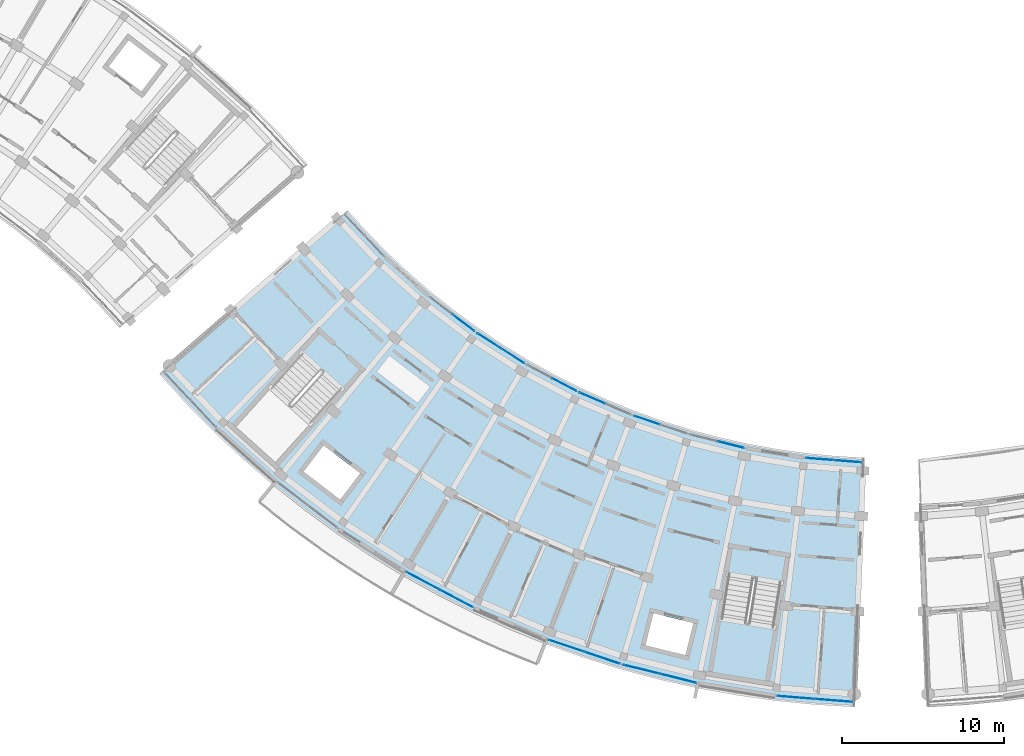
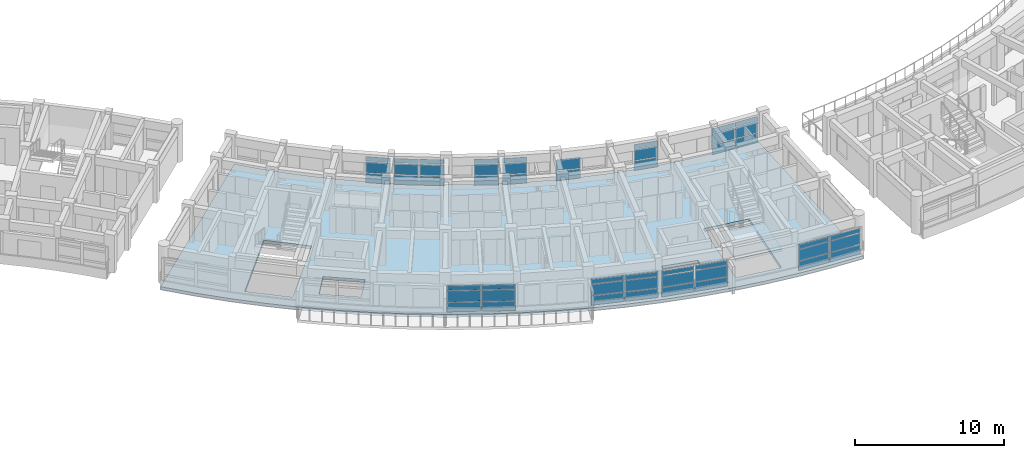
# One storey, part 23 of 54: 50 plates, 2 slabs, 12 elements without a shape of their own.
"""IFC4 building model written with IfcOpenShell, lengths in metres."""

import ifcopenshell
import ifcopenshell.guid

model = None  # the IFC model being written
_history = None  # IfcOwnerHistory: only IFC2X3 demands one
_inside = {}  # id of a spatial element -> (the spatial element, [elements in it])
_under = {}  # id of a project, library or spatial element -> (it, [spatial elements below it])
_declared = {}  # id of a project -> (the project, [libraries it declares])
_typed = {}  # id of a type object -> (the type object, [elements of that type])
_made_of = {}  # id of a material, layer set ... -> (it, [elements and type objects made of it])


def new_model(schema):
    """Start an empty IFC model of exactly this schema.

    Asked for "IFC4X3", IfcOpenShell would pick the latest addendum, in which some entities
    have other attributes; the version numbers below select the first issue.
    IFC2X3 requires an IfcOwnerHistory on every rooted entity: one is made here for all.
    """
    global model, _history
    if schema == "IFC4X3":
        model = ifcopenshell.file(schema_version=(4, 3, 0, 0))
    else:
        model = ifcopenshell.file(schema=schema)
    _inside.clear()
    _under.clear()
    _declared.clear()
    _typed.clear()
    _made_of.clear()
    _history = None
    if model.schema == "IFC2X3":
        org = make("IfcOrganization", Name="unknown")
        user = make(
            "IfcPersonAndOrganization",
            ThePerson=make("IfcPerson", FamilyName="unknown"),
            TheOrganization=org,
        )
        app = make(
            "IfcApplication",
            ApplicationDeveloper=org,
            Version="unknown",
            ApplicationFullName="unknown",
            ApplicationIdentifier="unknown",
        )
        _history = make(
            "IfcOwnerHistory",
            OwningUser=user,
            OwningApplication=app,
            ChangeAction="ADDED",
            CreationDate=0,
        )
    return model


def make(cls, **values):
    """One entity of the class cls with the attributes given. An attribute that is None is left unset."""
    return model.create_entity(
        cls, **{name: value for name, value in values.items() if value is not None}
    )


def rooted(cls, **values):
    """An entity with a GlobalId (a new one), such as an element, a storey or a relation."""
    return make(cls, GlobalId=ifcopenshell.guid.new(), OwnerHistory=_history, **values)


def si_unit(unit_type, name, prefix=None):
    """IfcSIUnit, for example si_unit("LENGTHUNIT", "METRE", prefix="MILLI")."""
    return make("IfcSIUnit", UnitType=unit_type, Prefix=prefix, Name=name)


def assignment(units):
    """IfcUnitAssignment: the units of a project."""
    return None if units is None else make("IfcUnitAssignment", Units=units)


def point(xyz):
    """IfcCartesianPoint."""
    return None if xyz is None else make("IfcCartesianPoint", Coordinates=xyz)


def direction(xyz):
    """IfcDirection."""
    return None if xyz is None else make("IfcDirection", DirectionRatios=xyz)


def frame(location, z_axis=None, x_axis=None):
    """IfcAxis2Placement3D, a coordinate frame: its origin and axes. An axis left out is left unset."""
    return make(
        "IfcAxis2Placement3D",
        Location=point(location),
        Axis=direction(z_axis),
        RefDirection=direction(x_axis),
    )


def frame_2d(location, x_axis=None):
    """IfcAxis2Placement2D, a coordinate frame in the plane: its origin and x axis."""
    return make(
        "IfcAxis2Placement2D", Location=point(location), RefDirection=direction(x_axis)
    )


def origin():
    """The frame at (0, 0, 0) with its axes left unset."""
    return frame((0.0, 0.0, 0.0))


def origin_2d():
    """The frame at (0, 0) in the plane with its x axis left unset."""
    return frame_2d((0.0, 0.0))


def place(relative_to, where):
    """IfcLocalPlacement: puts the frame where relative to a parent placement (None: the world)."""
    return make(
        "IfcLocalPlacement", PlacementRelTo=relative_to, RelativePlacement=where
    )


def context(
    kind, dimensions, precision=None, world=None, true_north=None, identifier=None
):
    """IfcGeometricRepresentationContext, for example the 3D "Model" context."""
    return make(
        "IfcGeometricRepresentationContext",
        ContextIdentifier=identifier,
        ContextType=kind,
        CoordinateSpaceDimension=dimensions,
        Precision=precision,
        WorldCoordinateSystem=world,
        TrueNorth=true_north,
    )


def subcontext(parent, identifier, kind, view, scale=None):
    """IfcGeometricRepresentationSubContext, for example "Body" below "Model"."""
    return make(
        "IfcGeometricRepresentationSubContext",
        ContextIdentifier=identifier,
        ContextType=kind,
        ParentContext=parent,
        TargetScale=scale,
        TargetView=view,
    )


def project(units=None, contexts=None):
    """IfcProject with its units and contexts."""
    return rooted(
        "IfcProject",
        Name="project",
        RepresentationContexts=contexts,
        UnitsInContext=assignment(units),
    )


def spatial(cls, under=None, at=None, **own):
    """A site, building, storey or space (cls), placed at a placement, below another one or the project."""
    s = rooted(cls, ObjectPlacement=at, **own)
    if under is not None:
        _under.setdefault(under.id(), (under, []))[1].append(s)
    return s


def polyline(points):
    """IfcPolyline through the points."""
    return make("IfcPolyline", Points=[point(p) for p in points])


def profile(cls, at=None, kind="AREA", **sizes):
    """A parametric profile (cls). Its sizes go by their IFC names, for example OverallWidth=200.0."""
    return make(cls, ProfileType=kind, Position=at, **sizes)


def rectangle(**sizes):
    """IfcRectangleProfileDef."""
    return profile("IfcRectangleProfileDef", **sizes)


def outline(outer, holes=None, kind="AREA"):
    """IfcArbitraryClosedProfileDef: a profile drawn as a closed curve; with holes, ...WithVoids."""
    if holes is None:
        return make("IfcArbitraryClosedProfileDef", ProfileType=kind, OuterCurve=outer)
    return make(
        "IfcArbitraryProfileDefWithVoids",
        ProfileType=kind,
        OuterCurve=outer,
        InnerCurves=holes,
    )


def extrude(swept, where, along, depth):
    """IfcExtrudedAreaSolid: the profile swept, set in the frame where, extruded along a direction by depth."""
    return make(
        "IfcExtrudedAreaSolid",
        SweptArea=swept,
        Position=where,
        ExtrudedDirection=direction(along),
        Depth=depth,
    )


def shape(context_of_items, identifier, shape_type, items):
    """IfcShapeRepresentation: the items that make up one representation, for example the "Body"."""
    return make(
        "IfcShapeRepresentation",
        ContextOfItems=context_of_items,
        RepresentationIdentifier=identifier,
        RepresentationType=shape_type,
        Items=items,
    )


def material(Name=None, Category=None):
    """IfcMaterial."""
    return make("IfcMaterial", Name=Name, Category=Category)


def layer(
    of_material, thickness, ventilated=None, Name=None, Category=None, Priority=None
):
    """IfcMaterialLayer: one layer of a wall or slab, of a material (None: an air gap)."""
    return make(
        "IfcMaterialLayer",
        Material=of_material,
        LayerThickness=thickness,
        IsVentilated=ventilated,
        Name=Name,
        Category=Category,
        Priority=Priority,
    )


def layer_set(layers, Name=None):
    """IfcMaterialLayerSet."""
    return make("IfcMaterialLayerSet", MaterialLayers=layers, LayerSetName=Name)


def made_of(thing, what):
    """Note that an element or type object is made of a material, layer set ...; save() writes the relation."""
    if what is not None:
        _made_of.setdefault(what.id(), (what, []))[1].append(thing)
    return thing


def type_object(cls, material=None, **own):
    """A type object (cls), such as IfcWallType, which elements share."""
    return made_of(rooted(cls, **own), material)


def element(
    cls,
    number,
    at=None,
    inside=None,
    cuts=None,
    type_object=None,
    material=None,
    context=None,
    identifier="Body",
    shape_type=None,
    held_by="IfcProductDefinitionShape",
    body=None,
    shapes=None,
    **own,
):
    """One element of the class cls, such as IfcWall. Its Tag is "e" and its number.

    at: its placement. inside: the storey or other place that contains it. cuts: it is an
    opening in that element (IfcRelVoidsElement). A single representation is given by context,
    identifier, shape_type and body (its items); several are given by shapes. held_by: the class
    of the entity that holds the representations. save() writes the other relations.
    """
    e = rooted(cls, Tag="e%d" % number, ObjectPlacement=at, **own)
    if body is not None:
        shapes = [shape(context, identifier, shape_type, body)]
    if shapes is not None:
        e.Representation = make(held_by, Representations=shapes)
    if inside is not None:
        _inside.setdefault(inside.id(), (inside, []))[1].append(e)
    if cuts is not None:
        rooted(
            "IfcRelVoidsElement", RelatingBuildingElement=cuts, RelatedOpeningElement=e
        )
    if type_object is not None:
        _typed.setdefault(type_object.id(), (type_object, []))[1].append(e)
    return made_of(e, material)


def aggregate(whole, parts):
    """IfcRelAggregates: a whole, such as a stair, and the parts it consists of."""
    return rooted("IfcRelAggregates", RelatingObject=whole, RelatedObjects=parts)


def save(model, path):
    """Write the relations noted so far, then the file.

    IfcRelAggregates (storeys below a building ...), IfcRelContainedInSpatialStructure (elements
    in a storey), IfcRelDefinesByType, IfcRelAssociatesMaterial and IfcRelDeclares: one each for
    every whole, place, type object, material and project.
    """
    for whole, parts in _under.values():
        aggregate(whole, parts)
    for where, things in _inside.values():
        rooted(
            "IfcRelContainedInSpatialStructure",
            RelatedElements=things,
            RelatingStructure=where,
        )
    for kind, things in _typed.values():
        rooted("IfcRelDefinesByType", RelatedObjects=things, RelatingType=kind)
    for what, things in _made_of.values():
        rooted("IfcRelAssociatesMaterial", RelatedObjects=things, RelatingMaterial=what)
    for by, libraries in _declared.values():
        rooted("IfcRelDeclares", RelatingContext=by, RelatedDefinitions=libraries)
    model.write(path)


model = new_model("IFC4")

# Units and contexts
model_context = context("Model", 3, precision=1e-05, world=origin(), true_north=direction((0.0, 1.0)))
body_context = subcontext(model_context, "Body", "Model", "MODEL_VIEW")
ifc_project = project(units=[si_unit("LENGTHUNIT", "METRE"), si_unit("AREAUNIT", "SQUARE_METRE"), si_unit("VOLUMEUNIT", "CUBIC_METRE"), si_unit("PLANEANGLEUNIT", "RADIAN"), si_unit("MASSUNIT", "GRAM", prefix="KILO")], contexts=[model_context])

# Site, building, storey
site_placement = place(None, origin())
site = spatial("IfcSite", under=ifc_project, at=site_placement, CompositionType="ELEMENT")
building_placement = place(site_placement, origin())
building = spatial("IfcBuilding", under=site, at=building_placement, Name="Zimvara Arc Housing Community", CompositionType="ELEMENT")
storey_placement = place(building_placement, frame((0.0, 0.0, 20.5)))
storey = spatial("IfcBuildingStorey", under=building, at=storey_placement, Name="L06", CompositionType="ELEMENT", Elevation=20.5)

# Curtain wall, plates
ifc_material_1 = material(Name="Anodised Aluminium AW-6063", Category="aluminium")
curtain_wall_type_1 = type_object("IfcCurtainWallType", Name="CW-SYS-08", PredefinedType="USERDEFINED", material=ifc_material_1)
curtain_wall_1_placement = place(storey_placement, origin())
curtain_wall_1 = element("IfcCurtainWall", 1, at=curtain_wall_1_placement, inside=storey, type_object=curtain_wall_type_1, Name="cw:blkC:L06:in:b2", ObjectType="CURTAIN WALL", PredefinedType="USERDEFINED")
ifc_material_2 = material(Name="Pale-Gold Anodised Aluminium Spandrel Panel", Category="aluminium")
ifc_layer_1 = layer(ifc_material_2, 0.035888671875)
ifc_layer_set_1 = layer_set([ifc_layer_1], Name="Pale-Gold Anodised Aluminium Spandrel Panel")
plate_type_1 = type_object("IfcPlateType", Name="CWP-GLD-36", PredefinedType="CURTAIN_PANEL", material=ifc_layer_set_1)
plate_1_placement = place(storey_placement, frame((99.651123046875, 73.87158203125, 0.06494140625), z_axis=(0.0, 0.0, 1.0), x_axis=(0.795473543119, -0.605988318533, 0.0)))
plate_1 = element("IfcPlate", 2, at=plate_1_placement, type_object=plate_type_1, Name="CW08 panel 2.1", PredefinedType="CURTAIN_PANEL", context=body_context, shape_type="SweptSolid", body=[
    extrude(rectangle(XDim=1.664306640625, YDim=0.035888671875, at=origin_2d()), origin(), (0.0, 0.0, 1.0), 0.75244140625),
])
plate_2_placement = place(storey_placement, frame((99.651123046875, 73.87158203125, 0.88232421875), z_axis=(0.0, 0.0, 1.0), x_axis=(0.795473543119, -0.605988318533, 0.0)))
plate_2 = element("IfcPlate", 3, at=plate_2_placement, type_object=plate_type_1, Name="CW08 panel 2.2", PredefinedType="CURTAIN_PANEL", context=body_context, shape_type="SweptSolid", body=[
    extrude(rectangle(XDim=1.664306640625, YDim=0.035888671875, at=origin_2d()), origin(), (0.0, 0.0, 1.0), 0.885009765625),
])
plate_3_placement = place(storey_placement, frame((99.651123046875, 73.87158203125, 1.83251953125), z_axis=(0.0, 0.0, 1.0), x_axis=(0.795473543119, -0.605988318533, 0.0)))
plate_3 = element("IfcPlate", 4, at=plate_3_placement, type_object=plate_type_1, Name="CW08 panel 2.3", PredefinedType="CURTAIN_PANEL", context=body_context, shape_type="SweptSolid", body=[
    extrude(rectangle(XDim=1.664306640625, YDim=0.035888671875, at=origin_2d()), origin(), (0.0, 0.0, 1.0), 0.3525390625),
])
aggregate(curtain_wall_1, [plate_1, plate_2, plate_3])

ifc_material_3 = material(Name="Anodised Aluminium AW-6063", Category="aluminium")
curtain_wall_type_2 = type_object("IfcCurtainWallType", Name="CW-SYS-04", PredefinedType="USERDEFINED", material=ifc_material_3)
curtain_wall_2_placement = place(storey_placement, origin())
curtain_wall_2 = element("IfcCurtainWall", 5, at=curtain_wall_2_placement, inside=storey, type_object=curtain_wall_type_2, Name="cw:blkC:L06:in:b5", ObjectType="CURTAIN WALL", PredefinedType="USERDEFINED")
plate_4_placement = place(storey_placement, frame((107.57958984375, 69.2421875, 0.06494140625), z_axis=(0.0, 0.0, 1.0), x_axis=(0.918722178415, -0.394904493375, 0.0)))
plate_4 = element("IfcPlate", 6, at=plate_4_placement, type_object=plate_type_1, Name="CW04 panel 1.1", PredefinedType="CURTAIN_PANEL", context=body_context, shape_type="SweptSolid", body=[
    extrude(rectangle(XDim=1.664306640625, YDim=0.035888671875, at=origin_2d()), origin(), (0.0, 0.0, 1.0), 0.75244140625),
])
plate_5_placement = place(storey_placement, frame((107.57958984375, 69.2421875, 0.88232421875), z_axis=(0.0, 0.0, 1.0), x_axis=(0.918722178415, -0.394904493375, 0.0)))
plate_5 = element("IfcPlate", 7, at=plate_5_placement, type_object=plate_type_1, Name="CW04 panel 1.2", PredefinedType="CURTAIN_PANEL", context=body_context, shape_type="SweptSolid", body=[
    extrude(rectangle(XDim=1.664306640625, YDim=0.035888671875, at=origin_2d()), origin(), (0.0, 0.0, 1.0), 0.885009765625),
])
plate_6_placement = place(storey_placement, frame((107.57958984375, 69.2421875, 1.83251953125), z_axis=(0.0, 0.0, 1.0), x_axis=(0.918722178415, -0.394904493375, 0.0)))
plate_6 = element("IfcPlate", 8, at=plate_6_placement, type_object=plate_type_1, Name="CW04 panel 1.3", PredefinedType="CURTAIN_PANEL", context=body_context, shape_type="SweptSolid", body=[
    extrude(rectangle(XDim=1.664306640625, YDim=0.035888671875, at=origin_2d()), origin(), (0.0, 0.0, 1.0), 0.3525390625),
])
aggregate(curtain_wall_2, [plate_4, plate_5, plate_6])

curtain_wall_3_placement = place(storey_placement, origin())
curtain_wall_3 = element("IfcCurtainWall", 9, at=curtain_wall_3_placement, inside=storey, type_object=curtain_wall_type_1, Name="cw:blkC:L06:in:b7", ObjectType="CURTAIN WALL", PredefinedType="USERDEFINED")
plate_7_placement = place(storey_placement, frame((116.109375, 66.375, 0.06494140625), z_axis=(0.0, 0.0, 1.0), x_axis=(0.970716537698, -0.240227815706, 0.0)))
plate_7 = element("IfcPlate", 10, at=plate_7_placement, type_object=plate_type_1, Name="CW08 panel 2.1", PredefinedType="CURTAIN_PANEL", context=body_context, shape_type="SweptSolid", body=[
    extrude(rectangle(XDim=1.664306640625, YDim=0.035888671875, at=origin_2d()), origin(), (0.0, 0.0, 1.0), 0.75244140625),
])
plate_8_placement = place(storey_placement, frame((116.109375, 66.375, 0.88232421875), z_axis=(0.0, 0.0, 1.0), x_axis=(0.970716537698, -0.240227815706, 0.0)))
plate_8 = element("IfcPlate", 11, at=plate_8_placement, type_object=plate_type_1, Name="CW08 panel 2.2", PredefinedType="CURTAIN_PANEL", context=body_context, shape_type="SweptSolid", body=[
    extrude(rectangle(XDim=1.664306640625, YDim=0.035888671875, at=origin_2d()), origin(), (0.0, 0.0, 1.0), 0.885009765625),
])
plate_9_placement = place(storey_placement, frame((116.109375, 66.375, 1.83251953125), z_axis=(0.0, 0.0, 1.0), x_axis=(0.970716537698, -0.240227815706, 0.0)))
plate_9 = element("IfcPlate", 12, at=plate_9_placement, type_object=plate_type_1, Name="CW08 panel 2.3", PredefinedType="CURTAIN_PANEL", context=body_context, shape_type="SweptSolid", body=[
    extrude(rectangle(XDim=1.664306640625, YDim=0.035888671875, at=origin_2d()), origin(), (0.0, 0.0, 1.0), 0.3525390625),
])
aggregate(curtain_wall_3, [plate_7, plate_8, plate_9])

ifc_material_4 = material(Name="Anodised Aluminium AW-6063", Category="aluminium")
curtain_wall_type_3 = type_object("IfcCurtainWallType", Name="CW-SYS-01", PredefinedType="USERDEFINED", material=ifc_material_4)
curtain_wall_4_placement = place(storey_placement, origin())
curtain_wall_4 = element("IfcCurtainWall", 13, at=curtain_wall_4_placement, inside=storey, type_object=curtain_wall_type_3, Name="cw:blkC:L06:in:b3", ObjectType="CURTAIN WALL", PredefinedType="USERDEFINED")
ifc_material_5 = material(Name="Solar Control Low-E Double Glazing", Category="glass")
ifc_layer_2 = layer(ifc_material_5, 0.02392578125)
ifc_layer_set_2 = layer_set([ifc_layer_2], Name="Solar Control Low-E Double Glazing")
plate_type_2 = type_object("IfcPlateType", Name="CWP-GLZ-24", PredefinedType="CURTAIN_PANEL", material=ifc_layer_set_2)
plate_10_placement = place(storey_placement, frame((101.21875, 72.775634765625, 0.06494140625), z_axis=(0.0, 0.0, 1.0), x_axis=(0.842264751752, -0.539064085203, 0.0)))
plate_10 = element("IfcPlate", 14, at=plate_10_placement, type_object=plate_type_2, Name="CW01 panel 1.1", PredefinedType="CURTAIN_PANEL", context=body_context, shape_type="SweptSolid", body=[
    extrude(rectangle(XDim=1.664306640625, YDim=0.02392578125, at=origin_2d()), origin(), (0.0, 0.0, 1.0), 0.75244140625),
])
plate_11_placement = place(storey_placement, frame((101.21875, 72.775634765625, 0.88232421875), z_axis=(0.0, 0.0, 1.0), x_axis=(0.842264751752, -0.539064085203, 0.0)))
plate_11 = element("IfcPlate", 15, at=plate_11_placement, type_object=plate_type_2, Name="CW01 panel 1.2", PredefinedType="CURTAIN_PANEL", context=body_context, shape_type="SweptSolid", body=[
    extrude(rectangle(XDim=1.664306640625, YDim=0.02392578125, at=origin_2d()), origin(), (0.0, 0.0, 1.0), 0.885009765625),
])
plate_12_placement = place(storey_placement, frame((101.21875, 72.775634765625, 1.83251953125), z_axis=(0.0, 0.0, 1.0), x_axis=(0.842264751752, -0.539064085203, 0.0)))
plate_12 = element("IfcPlate", 16, at=plate_12_placement, type_object=plate_type_2, Name="CW01 panel 1.3", PredefinedType="CURTAIN_PANEL", context=body_context, shape_type="SweptSolid", body=[
    extrude(rectangle(XDim=1.664306640625, YDim=0.02392578125, at=origin_2d()), origin(), (0.0, 0.0, 1.0), 0.3525390625),
])
plate_13_placement = place(storey_placement, frame((102.67529296875, 71.843505859375, 0.06494140625), z_axis=(0.0, 0.0, 1.0), x_axis=(0.842264751752, -0.539064085203, 0.0)))
plate_13 = element("IfcPlate", 17, at=plate_13_placement, type_object=plate_type_2, Name="CW01 panel 2.1", PredefinedType="CURTAIN_PANEL", context=body_context, shape_type="SweptSolid", body=[
    extrude(rectangle(XDim=1.664306640625, YDim=0.02392578125, at=origin_2d()), origin(), (0.0, 0.0, 1.0), 0.75244140625),
])
plate_14_placement = place(storey_placement, frame((102.67529296875, 71.843505859375, 0.88232421875), z_axis=(0.0, 0.0, 1.0), x_axis=(0.842264751752, -0.539064085203, 0.0)))
plate_14 = element("IfcPlate", 18, at=plate_14_placement, type_object=plate_type_2, Name="CW01 panel 2.2", PredefinedType="CURTAIN_PANEL", context=body_context, shape_type="SweptSolid", body=[
    extrude(rectangle(XDim=1.664306640625, YDim=0.02392578125, at=origin_2d()), origin(), (0.0, 0.0, 1.0), 0.885009765625),
])
plate_15_placement = place(storey_placement, frame((102.67529296875, 71.843505859375, 1.83251953125), z_axis=(0.0, 0.0, 1.0), x_axis=(0.842264751752, -0.539064085203, 0.0)))
plate_15 = element("IfcPlate", 19, at=plate_15_placement, type_object=plate_type_2, Name="CW01 panel 2.3", PredefinedType="CURTAIN_PANEL", context=body_context, shape_type="SweptSolid", body=[
    extrude(rectangle(XDim=1.664306640625, YDim=0.02392578125, at=origin_2d()), origin(), (0.0, 0.0, 1.0), 0.3525390625),
])
aggregate(curtain_wall_4, [plate_10, plate_11, plate_12, plate_13, plate_14, plate_15])

ifc_material_6 = material(Name="Anodised Aluminium AW-6063", Category="aluminium")
curtain_wall_type_4 = type_object("IfcCurtainWallType", Name="CW-SYS-05", PredefinedType="USERDEFINED", material=ifc_material_6)
curtain_wall_5_placement = place(storey_placement, origin())
curtain_wall_5 = element("IfcCurtainWall", 20, at=curtain_wall_5_placement, inside=storey, type_object=curtain_wall_type_4, Name="cw:blkC:L06:out:b6", ObjectType="CURTAIN WALL", PredefinedType="USERDEFINED")
plate_16_placement = place(storey_placement, frame((105.970458984375, 53.993408203125, 0.06494140625), z_axis=(0.0, 0.0, 1.0), x_axis=(0.947879647164, -0.318628583921, 0.0)))
plate_16 = element("IfcPlate", 21, at=plate_16_placement, type_object=plate_type_2, Name="CW05 panel 1.1", PredefinedType="CURTAIN_PANEL", context=body_context, shape_type="SweptSolid", body=[
    extrude(rectangle(XDim=2.266845703125, YDim=0.02392578125, at=origin_2d()), origin(), (0.0, 0.0, 1.0), 0.75244140625),
])
plate_17_placement = place(storey_placement, frame((105.970458984375, 53.993408203125, 0.88232421875), z_axis=(0.0, 0.0, 1.0), x_axis=(0.947879647164, -0.318628583921, 0.0)))
plate_17 = element("IfcPlate", 22, at=plate_17_placement, type_object=plate_type_2, Name="CW05 panel 1.2", PredefinedType="CURTAIN_PANEL", context=body_context, shape_type="SweptSolid", body=[
    extrude(rectangle(XDim=2.266845703125, YDim=0.02392578125, at=origin_2d()), origin(), (0.0, 0.0, 1.0), 0.885009765625),
])
plate_18_placement = place(storey_placement, frame((105.970458984375, 53.993408203125, 1.83251953125), z_axis=(0.0, 0.0, 1.0), x_axis=(0.947879647164, -0.318628583921, 0.0)))
plate_18 = element("IfcPlate", 23, at=plate_18_placement, type_object=plate_type_2, Name="CW05 panel 1.3", PredefinedType="CURTAIN_PANEL", context=body_context, shape_type="SweptSolid", body=[
    extrude(rectangle(XDim=2.266845703125, YDim=0.02392578125, at=origin_2d()), origin(), (0.0, 0.0, 1.0), 0.3525390625),
])
plate_19_placement = place(storey_placement, frame((108.180908203125, 53.250244140625, 0.06494140625), z_axis=(0.0, 0.0, 1.0), x_axis=(0.947879647164, -0.318628583921, 0.0)))
plate_19 = element("IfcPlate", 24, at=plate_19_placement, type_object=plate_type_2, Name="CW05 panel 2.1", PredefinedType="CURTAIN_PANEL", context=body_context, shape_type="SweptSolid", body=[
    extrude(rectangle(XDim=2.266845703125, YDim=0.02392578125, at=origin_2d()), origin(), (0.0, 0.0, 1.0), 0.75244140625),
])
plate_20_placement = place(storey_placement, frame((108.180908203125, 53.250244140625, 0.88232421875), z_axis=(0.0, 0.0, 1.0), x_axis=(0.947879647164, -0.318628583921, 0.0)))
plate_20 = element("IfcPlate", 25, at=plate_20_placement, type_object=plate_type_2, Name="CW05 panel 2.2", PredefinedType="CURTAIN_PANEL", context=body_context, shape_type="SweptSolid", body=[
    extrude(rectangle(XDim=2.266845703125, YDim=0.02392578125, at=origin_2d()), origin(), (0.0, 0.0, 1.0), 0.885009765625),
])
plate_21_placement = place(storey_placement, frame((108.180908203125, 53.250244140625, 1.83251953125), z_axis=(0.0, 0.0, 1.0), x_axis=(0.947879647164, -0.318628583921, 0.0)))
plate_21 = element("IfcPlate", 26, at=plate_21_placement, type_object=plate_type_2, Name="CW05 panel 2.3", PredefinedType="CURTAIN_PANEL", context=body_context, shape_type="SweptSolid", body=[
    extrude(rectangle(XDim=2.266845703125, YDim=0.02392578125, at=origin_2d()), origin(), (0.0, 0.0, 1.0), 0.3525390625),
])
aggregate(curtain_wall_5, [plate_16, plate_17, plate_18, plate_19, plate_20, plate_21])

curtain_wall_6_placement = place(storey_placement, origin())
curtain_wall_6 = element("IfcCurtainWall", 27, at=curtain_wall_6_placement, inside=storey, type_object=curtain_wall_type_3, Name="cw:blkC:L06:out:b9", ObjectType="CURTAIN WALL", PredefinedType="USERDEFINED")
plate_22_placement = place(storey_placement, frame((120.121337890625, 50.807861328125, 0.06494140625), z_axis=(0.0, 0.0, 1.0), x_axis=(0.996862418963, -0.079153759607, 0.0)))
plate_22 = element("IfcPlate", 28, at=plate_22_placement, type_object=plate_type_2, Name="CW01 panel 1.1", PredefinedType="CURTAIN_PANEL", context=body_context, shape_type="SweptSolid", body=[
    extrude(rectangle(XDim=2.266845703125, YDim=0.02392578125, at=origin_2d()), origin(), (0.0, 0.0, 1.0), 0.75244140625),
])
plate_23_placement = place(storey_placement, frame((120.121337890625, 50.807861328125, 0.88232421875), z_axis=(0.0, 0.0, 1.0), x_axis=(0.996862418963, -0.079153759607, 0.0)))
plate_23 = element("IfcPlate", 29, at=plate_23_placement, type_object=plate_type_2, Name="CW01 panel 1.2", PredefinedType="CURTAIN_PANEL", context=body_context, shape_type="SweptSolid", body=[
    extrude(rectangle(XDim=2.266845703125, YDim=0.02392578125, at=origin_2d()), origin(), (0.0, 0.0, 1.0), 0.885009765625),
])
plate_24_placement = place(storey_placement, frame((120.121337890625, 50.807861328125, 1.83251953125), z_axis=(0.0, 0.0, 1.0), x_axis=(0.996862418963, -0.079153759607, 0.0)))
plate_24 = element("IfcPlate", 30, at=plate_24_placement, type_object=plate_type_2, Name="CW01 panel 1.3", PredefinedType="CURTAIN_PANEL", context=body_context, shape_type="SweptSolid", body=[
    extrude(rectangle(XDim=2.266845703125, YDim=0.02392578125, at=origin_2d()), origin(), (0.0, 0.0, 1.0), 0.3525390625),
])
plate_25_placement = place(storey_placement, frame((122.446044921875, 50.623291015625, 0.06494140625), z_axis=(0.0, 0.0, 1.0), x_axis=(0.996862418963, -0.079153759607, 0.0)))
plate_25 = element("IfcPlate", 31, at=plate_25_placement, type_object=plate_type_2, Name="CW01 panel 2.1", PredefinedType="CURTAIN_PANEL", context=body_context, shape_type="SweptSolid", body=[
    extrude(rectangle(XDim=2.266845703125, YDim=0.02392578125, at=origin_2d()), origin(), (0.0, 0.0, 1.0), 0.75244140625),
])
plate_26_placement = place(storey_placement, frame((122.446044921875, 50.623291015625, 0.88232421875), z_axis=(0.0, 0.0, 1.0), x_axis=(0.996862418963, -0.079153759607, 0.0)))
plate_26 = element("IfcPlate", 32, at=plate_26_placement, type_object=plate_type_2, Name="CW01 panel 2.2", PredefinedType="CURTAIN_PANEL", context=body_context, shape_type="SweptSolid", body=[
    extrude(rectangle(XDim=2.266845703125, YDim=0.02392578125, at=origin_2d()), origin(), (0.0, 0.0, 1.0), 0.885009765625),
])
plate_27_placement = place(storey_placement, frame((122.446044921875, 50.623291015625, 1.83251953125), z_axis=(0.0, 0.0, 1.0), x_axis=(0.996862418963, -0.079153759607, 0.0)))
plate_27 = element("IfcPlate", 33, at=plate_27_placement, type_object=plate_type_2, Name="CW01 panel 2.3", PredefinedType="CURTAIN_PANEL", context=body_context, shape_type="SweptSolid", body=[
    extrude(rectangle(XDim=2.266845703125, YDim=0.02392578125, at=origin_2d()), origin(), (0.0, 0.0, 1.0), 0.3525390625),
])
aggregate(curtain_wall_6, [plate_22, plate_23, plate_24, plate_25, plate_26, plate_27])

ifc_material_7 = material(Name="Anodised Aluminium AW-6063", Category="aluminium")
curtain_wall_type_5 = type_object("IfcCurtainWallType", Name="CW-SYS-02", PredefinedType="USERDEFINED", material=ifc_material_7)
curtain_wall_7_placement = place(storey_placement, origin())
curtain_wall_7 = element("IfcCurtainWall", 34, at=curtain_wall_7_placement, inside=storey, type_object=curtain_wall_type_5, Name="cw:blkC:L06:out:b4", ObjectType="CURTAIN WALL", PredefinedType="USERDEFINED")
ifc_material_8 = material(Name="Solar Control Low-E Double Glazing", Category="glass")
ifc_layer_3 = layer(ifc_material_8, 0.028076171875)
ifc_layer_set_3 = layer_set([ifc_layer_3], Name="Solar Control Low-E Double Glazing")
plate_type_3 = type_object("IfcPlateType", Name="CWP-GLZ-28", PredefinedType="CURTAIN_PANEL", material=ifc_layer_set_3)
plate_28_placement = place(storey_placement, frame((97.15087890625, 57.991455078125, 0.06494140625), z_axis=(0.0, 0.0, 1.0), x_axis=(0.883438614651, -0.468546917761, 0.0)))
plate_28 = element("IfcPlate", 35, at=plate_28_placement, type_object=plate_type_3, Name="CW02 panel 1.1", PredefinedType="CURTAIN_PANEL", context=body_context, shape_type="SweptSolid", body=[
    extrude(rectangle(XDim=2.266845703125, YDim=0.028076171875, at=origin_2d()), origin(), (0.0, 0.0, 1.0), 0.75244140625),
])
plate_29_placement = place(storey_placement, frame((97.15087890625, 57.991455078125, 0.88232421875), z_axis=(0.0, 0.0, 1.0), x_axis=(0.883438614651, -0.468546917761, 0.0)))
plate_29 = element("IfcPlate", 36, at=plate_29_placement, type_object=plate_type_3, Name="CW02 panel 1.2", PredefinedType="CURTAIN_PANEL", context=body_context, shape_type="SweptSolid", body=[
    extrude(rectangle(XDim=2.266845703125, YDim=0.028076171875, at=origin_2d()), origin(), (0.0, 0.0, 1.0), 0.885009765625),
])
plate_30_placement = place(storey_placement, frame((97.15087890625, 57.991455078125, 1.83251953125), z_axis=(0.0, 0.0, 1.0), x_axis=(0.883438614651, -0.468546917761, 0.0)))
plate_30 = element("IfcPlate", 37, at=plate_30_placement, type_object=plate_type_3, Name="CW02 panel 1.3", PredefinedType="CURTAIN_PANEL", context=body_context, shape_type="SweptSolid", body=[
    extrude(rectangle(XDim=2.266845703125, YDim=0.028076171875, at=origin_2d()), origin(), (0.0, 0.0, 1.0), 0.3525390625),
])
plate_31_placement = place(storey_placement, frame((99.2109375, 56.89892578125, 0.06494140625), z_axis=(0.0, 0.0, 1.0), x_axis=(0.883438614651, -0.468546917761, 0.0)))
plate_31 = element("IfcPlate", 38, at=plate_31_placement, type_object=plate_type_3, Name="CW02 panel 2.1", PredefinedType="CURTAIN_PANEL", context=body_context, shape_type="SweptSolid", body=[
    extrude(rectangle(XDim=2.266845703125, YDim=0.028076171875, at=origin_2d()), origin(), (0.0, 0.0, 1.0), 0.75244140625),
])
plate_32_placement = place(storey_placement, frame((99.2109375, 56.89892578125, 0.88232421875), z_axis=(0.0, 0.0, 1.0), x_axis=(0.883438614651, -0.468546917761, 0.0)))
plate_32 = element("IfcPlate", 39, at=plate_32_placement, type_object=plate_type_3, Name="CW02 panel 2.2", PredefinedType="CURTAIN_PANEL", context=body_context, shape_type="SweptSolid", body=[
    extrude(rectangle(XDim=2.266845703125, YDim=0.028076171875, at=origin_2d()), origin(), (0.0, 0.0, 1.0), 0.885009765625),
])
plate_33_placement = place(storey_placement, frame((99.2109375, 56.89892578125, 1.83251953125), z_axis=(0.0, 0.0, 1.0), x_axis=(0.883438614651, -0.468546917761, 0.0)))
plate_33 = element("IfcPlate", 40, at=plate_33_placement, type_object=plate_type_3, Name="CW02 panel 2.3", PredefinedType="CURTAIN_PANEL", context=body_context, shape_type="SweptSolid", body=[
    extrude(rectangle(XDim=2.266845703125, YDim=0.028076171875, at=origin_2d()), origin(), (0.0, 0.0, 1.0), 0.3525390625),
])
aggregate(curtain_wall_7, [plate_28, plate_29, plate_30, plate_31, plate_32, plate_33])

ifc_material_9 = material(Name="Anodised Aluminium AW-6063", Category="aluminium")
curtain_wall_type_6 = type_object("IfcCurtainWallType", Name="CW-SYS-06", PredefinedType="USERDEFINED", material=ifc_material_9)
curtain_wall_8_placement = place(storey_placement, origin())
curtain_wall_8 = element("IfcCurtainWall", 41, at=curtain_wall_8_placement, inside=storey, type_object=curtain_wall_type_6, Name="cw:blkC:L06:in:b6", ObjectType="CURTAIN WALL", PredefinedType="USERDEFINED")
plate_34_placement = place(storey_placement, frame((110.955078125, 67.87646484375, 0.06494140625), z_axis=(0.0, 0.0, 1.0), x_axis=(0.94787908732, -0.318630249383, 0.0)))
plate_34 = element("IfcPlate", 42, at=plate_34_placement, type_object=plate_type_3, Name="CW06 panel 1.1", PredefinedType="CURTAIN_PANEL", context=body_context, shape_type="SweptSolid", body=[
    extrude(rectangle(XDim=1.664306640625, YDim=0.028076171875, at=origin_2d()), origin(), (0.0, 0.0, 1.0), 0.75244140625),
])
plate_35_placement = place(storey_placement, frame((110.955078125, 67.87646484375, 0.88232421875), z_axis=(0.0, 0.0, 1.0), x_axis=(0.94787908732, -0.318630249383, 0.0)))
plate_35 = element("IfcPlate", 43, at=plate_35_placement, type_object=plate_type_3, Name="CW06 panel 1.2", PredefinedType="CURTAIN_PANEL", context=body_context, shape_type="SweptSolid", body=[
    extrude(rectangle(XDim=1.664306640625, YDim=0.028076171875, at=origin_2d()), origin(), (0.0, 0.0, 1.0), 0.885009765625),
])
aggregate(curtain_wall_8, [plate_34, plate_35])

curtain_wall_9_placement = place(storey_placement, origin())
curtain_wall_9 = element("IfcCurtainWall", 44, at=curtain_wall_9_placement, inside=storey, type_object=curtain_wall_type_5, Name="cw:blkC:L06:in:b9", ObjectType="CURTAIN WALL", PredefinedType="USERDEFINED")
plate_36_placement = place(storey_placement, frame((121.589111328125, 65.485595703125, 0.06494140625), z_axis=(0.0, 0.0, 1.0), x_axis=(0.996862343506, -0.079154709897, 0.0)))
plate_36 = element("IfcPlate", 45, at=plate_36_placement, type_object=plate_type_3, Name="CW02 panel 1.1", PredefinedType="CURTAIN_PANEL", context=body_context, shape_type="SweptSolid", body=[
    extrude(rectangle(XDim=1.664306640625, YDim=0.028076171875, at=origin_2d()), origin(), (0.0, 0.0, 1.0), 0.75244140625),
])
plate_37_placement = place(storey_placement, frame((121.589111328125, 65.485595703125, 0.88232421875), z_axis=(0.0, 0.0, 1.0), x_axis=(0.996862343506, -0.079154709897, 0.0)))
plate_37 = element("IfcPlate", 46, at=plate_37_placement, type_object=plate_type_3, Name="CW02 panel 1.2", PredefinedType="CURTAIN_PANEL", context=body_context, shape_type="SweptSolid", body=[
    extrude(rectangle(XDim=1.664306640625, YDim=0.028076171875, at=origin_2d()), origin(), (0.0, 0.0, 1.0), 0.885009765625),
])
plate_38_placement = place(storey_placement, frame((121.589111328125, 65.485595703125, 1.83251953125), z_axis=(0.0, 0.0, 1.0), x_axis=(0.996862343506, -0.079154709897, 0.0)))
plate_38 = element("IfcPlate", 47, at=plate_38_placement, type_object=plate_type_3, Name="CW02 panel 1.3", PredefinedType="CURTAIN_PANEL", context=body_context, shape_type="SweptSolid", body=[
    extrude(rectangle(XDim=1.664306640625, YDim=0.028076171875, at=origin_2d()), origin(), (0.0, 0.0, 1.0), 0.3525390625),
])
plate_39_placement = place(storey_placement, frame((123.31298828125, 65.3486328125, 0.06494140625), z_axis=(0.0, 0.0, 1.0), x_axis=(0.996862343506, -0.079154709897, 0.0)))
plate_39 = element("IfcPlate", 48, at=plate_39_placement, type_object=plate_type_3, Name="CW02 panel 2.1", PredefinedType="CURTAIN_PANEL", context=body_context, shape_type="SweptSolid", body=[
    extrude(rectangle(XDim=1.664306640625, YDim=0.028076171875, at=origin_2d()), origin(), (0.0, 0.0, 1.0), 0.75244140625),
])
plate_40_placement = place(storey_placement, frame((123.31298828125, 65.3486328125, 0.88232421875), z_axis=(0.0, 0.0, 1.0), x_axis=(0.996862343506, -0.079154709897, 0.0)))
plate_40 = element("IfcPlate", 49, at=plate_40_placement, type_object=plate_type_3, Name="CW02 panel 2.2", PredefinedType="CURTAIN_PANEL", context=body_context, shape_type="SweptSolid", body=[
    extrude(rectangle(XDim=1.664306640625, YDim=0.028076171875, at=origin_2d()), origin(), (0.0, 0.0, 1.0), 0.885009765625),
])
plate_41_placement = place(storey_placement, frame((123.31298828125, 65.3486328125, 1.83251953125), z_axis=(0.0, 0.0, 1.0), x_axis=(0.996862343506, -0.079154709897, 0.0)))
plate_41 = element("IfcPlate", 50, at=plate_41_placement, type_object=plate_type_3, Name="CW02 panel 2.3", PredefinedType="CURTAIN_PANEL", context=body_context, shape_type="SweptSolid", body=[
    extrude(rectangle(XDim=1.664306640625, YDim=0.028076171875, at=origin_2d()), origin(), (0.0, 0.0, 1.0), 0.3525390625),
])
aggregate(curtain_wall_9, [plate_36, plate_37, plate_38, plate_39, plate_40, plate_41])

ifc_material_10 = material(Name="Anodised Aluminium AW-6063", Category="aluminium")
curtain_wall_type_7 = type_object("IfcCurtainWallType", Name="CW-SYS-03", PredefinedType="USERDEFINED", material=ifc_material_10)
curtain_wall_10_placement = place(storey_placement, origin())
curtain_wall_10 = element("IfcCurtainWall", 51, at=curtain_wall_10_placement, inside=storey, type_object=curtain_wall_type_7, Name="cw:blkC:L06:in:b4", ObjectType="CURTAIN WALL", PredefinedType="USERDEFINED")
ifc_material_11 = material(Name="Acoustic Laminated Solar Glazing", Category="glass")
ifc_layer_4 = layer(ifc_material_11, 0.031982421875)
ifc_layer_set_4 = layer_set([ifc_layer_4], Name="Acoustic Laminated Solar Glazing")
plate_type_4 = type_object("IfcPlateType", Name="CWP-GLZ-32", PredefinedType="CURTAIN_PANEL", material=ifc_layer_set_4)
plate_42_placement = place(storey_placement, frame((105.854736328125, 70.068603515625, 0.06494140625), z_axis=(0.0, 0.0, 1.0), x_axis=(0.88343981815, -0.468544648573, 0.0)))
plate_42 = element("IfcPlate", 52, at=plate_42_placement, type_object=plate_type_4, Name="CW03 panel 2.1", PredefinedType="CURTAIN_PANEL", context=body_context, shape_type="SweptSolid", body=[
    extrude(rectangle(XDim=1.664306640625, YDim=0.031982421875, at=origin_2d()), origin(), (0.0, 0.0, 1.0), 0.75244140625),
])
plate_43_placement = place(storey_placement, frame((105.854736328125, 70.068603515625, 0.88232421875), z_axis=(0.0, 0.0, 1.0), x_axis=(0.88343981815, -0.468544648573, 0.0)))
plate_43 = element("IfcPlate", 53, at=plate_43_placement, type_object=plate_type_4, Name="CW03 panel 2.2", PredefinedType="CURTAIN_PANEL", context=body_context, shape_type="SweptSolid", body=[
    extrude(rectangle(XDim=1.664306640625, YDim=0.031982421875, at=origin_2d()), origin(), (0.0, 0.0, 1.0), 0.885009765625),
])
plate_44_placement = place(storey_placement, frame((105.854736328125, 70.068603515625, 1.83251953125), z_axis=(0.0, 0.0, 1.0), x_axis=(0.88343981815, -0.468544648573, 0.0)))
plate_44 = element("IfcPlate", 54, at=plate_44_placement, type_object=plate_type_4, Name="CW03 panel 2.3", PredefinedType="CURTAIN_PANEL", context=body_context, shape_type="SweptSolid", body=[
    extrude(rectangle(XDim=1.664306640625, YDim=0.031982421875, at=origin_2d()), origin(), (0.0, 0.0, 1.0), 0.3525390625),
])
aggregate(curtain_wall_10, [plate_42, plate_43, plate_44])

ifc_material_12 = material(Name="Anodised Aluminium AW-6063", Category="aluminium")
curtain_wall_type_8 = type_object("IfcCurtainWallType", Name="CW-SYS-07", PredefinedType="USERDEFINED", material=ifc_material_12)
curtain_wall_11_placement = place(storey_placement, origin())
curtain_wall_11 = element("IfcCurtainWall", 55, at=curtain_wall_11_placement, inside=storey, type_object=curtain_wall_type_8, Name="cw:blkC:L06:out:b7", ObjectType="CURTAIN WALL", PredefinedType="USERDEFINED")
plate_45_placement = place(storey_placement, frame((110.59521484375, 52.547119140625, 0.06494140625), z_axis=(0.0, 0.0, 1.0), x_axis=(0.970716068627, -0.240229711131, 0.0)))
plate_45 = element("IfcPlate", 56, at=plate_45_placement, type_object=plate_type_4, Name="CW07 panel 1.1", PredefinedType="CURTAIN_PANEL", context=body_context, shape_type="SweptSolid", body=[
    extrude(rectangle(XDim=2.266845703125, YDim=0.031982421875, at=origin_2d()), origin(), (0.0, 0.0, 1.0), 0.75244140625),
])
plate_46_placement = place(storey_placement, frame((110.59521484375, 52.547119140625, 0.88232421875), z_axis=(0.0, 0.0, 1.0), x_axis=(0.970716068627, -0.240229711131, 0.0)))
plate_46 = element("IfcPlate", 57, at=plate_46_placement, type_object=plate_type_4, Name="CW07 panel 1.2", PredefinedType="CURTAIN_PANEL", context=body_context, shape_type="SweptSolid", body=[
    extrude(rectangle(XDim=2.266845703125, YDim=0.031982421875, at=origin_2d()), origin(), (0.0, 0.0, 1.0), 0.885009765625),
])
plate_47_placement = place(storey_placement, frame((110.59521484375, 52.547119140625, 1.83251953125), z_axis=(0.0, 0.0, 1.0), x_axis=(0.970716068627, -0.240229711131, 0.0)))
plate_47 = element("IfcPlate", 58, at=plate_47_placement, type_object=plate_type_4, Name="CW07 panel 1.3", PredefinedType="CURTAIN_PANEL", context=body_context, shape_type="SweptSolid", body=[
    extrude(rectangle(XDim=2.266845703125, YDim=0.031982421875, at=origin_2d()), origin(), (0.0, 0.0, 1.0), 0.3525390625),
])
plate_48_placement = place(storey_placement, frame((112.85888671875, 51.98681640625, 0.06494140625), z_axis=(0.0, 0.0, 1.0), x_axis=(0.970716068627, -0.240229711131, 0.0)))
plate_48 = element("IfcPlate", 59, at=plate_48_placement, type_object=plate_type_4, Name="CW07 panel 2.1", PredefinedType="CURTAIN_PANEL", context=body_context, shape_type="SweptSolid", body=[
    extrude(rectangle(XDim=2.266845703125, YDim=0.031982421875, at=origin_2d()), origin(), (0.0, 0.0, 1.0), 0.75244140625),
])
plate_49_placement = place(storey_placement, frame((112.85888671875, 51.98681640625, 0.88232421875), z_axis=(0.0, 0.0, 1.0), x_axis=(0.970716068627, -0.240229711131, 0.0)))
plate_49 = element("IfcPlate", 60, at=plate_49_placement, type_object=plate_type_4, Name="CW07 panel 2.2", PredefinedType="CURTAIN_PANEL", context=body_context, shape_type="SweptSolid", body=[
    extrude(rectangle(XDim=2.266845703125, YDim=0.031982421875, at=origin_2d()), origin(), (0.0, 0.0, 1.0), 0.885009765625),
])
plate_50_placement = place(storey_placement, frame((112.85888671875, 51.98681640625, 1.83251953125), z_axis=(0.0, 0.0, 1.0), x_axis=(0.970716068627, -0.240229711131, 0.0)))
plate_50 = element("IfcPlate", 61, at=plate_50_placement, type_object=plate_type_4, Name="CW07 panel 2.3", PredefinedType="CURTAIN_PANEL", context=body_context, shape_type="SweptSolid", body=[
    extrude(rectangle(XDim=2.266845703125, YDim=0.031982421875, at=origin_2d()), origin(), (0.0, 0.0, 1.0), 0.3525390625),
])
aggregate(curtain_wall_11, [plate_45, plate_46, plate_47, plate_48, plate_49, plate_50])

# Stair, slab
ifc_material_13 = material(Name="Concrete C35/45", Category="concrete")
stair_type = type_object("IfcStairType", Name="STR-DL-310-310", PredefinedType="HALF_TURN_STAIR", material=ifc_material_13)
stair_placement = place(storey_placement, origin())
stair = element("IfcStair", 62, at=stair_placement, inside=storey, type_object=stair_type, Name="L06 Block C Exit Stair 2", PredefinedType="HALF_TURN_STAIR")
ifc_material_14 = material(Name="Concrete C35/45", Category="concrete")
ifc_layer_5 = layer(ifc_material_14, 0.199951171875)
ifc_layer_set_5 = layer_set([ifc_layer_5], Name="Concrete C35/45")
slab_type_1 = type_object("IfcSlabType", Name="SLB-STAIR-LND-200", PredefinedType="LANDING", material=ifc_layer_set_5)
slab_1_placement = place(storey_placement, frame((0.0, 0.0, 1.35009765625)))
slab_1 = element("IfcSlab", 63, at=slab_1_placement, type_object=slab_type_1, Name="ST-C2 landing 1", PredefinedType="LANDING", context=body_context, shape_type="SweptSolid", body=[
    extrude(outline(polyline([(115.4853515625, 55.691650390625), (114.942138671875, 52.345458984375), (118.2587890625, 51.80712890625), (118.8017578125, 55.1533203125), (115.4853515625, 55.691650390625)])), origin(), (0.0, 0.0, 1.0), 0.199951171875),
])
aggregate(stair, [slab_1])

# Slab
ifc_material_15 = material(Name="Concrete C35/45", Category="concrete")
ifc_layer_6 = layer(ifc_material_15, 0.239990234375)
ifc_layer_set_6 = layer_set([ifc_layer_6], Name="Concrete C35/45")
slab_type_2 = type_object("IfcSlabType", Name="SLB-TYP-240", PredefinedType="FLOOR", material=ifc_layer_set_6)
slab_2_placement = place(storey_placement, frame((0.0, 0.0, -0.239990234375)))
element("IfcSlab", 64, at=slab_2_placement, inside=storey, type_object=slab_type_2, Name="slab:blkC:L06:main", PredefinedType="FLOOR", context=body_context, shape_type="SweptSolid", body=[
    extrude(outline(polyline([(80.999267578125, 70.7587890625), (82.63330078125, 68.954833984375), (84.339599609375, 67.21923828125), (86.115234375, 65.5546875), (87.95751953125, 63.9638671875), (89.863037109375, 62.44970703125), (91.828857421875, 61.0146484375), (93.851806640625, 59.6611328125), (95.92822265625, 58.39111328125), (98.0546875, 57.20703125), (100.227783203125, 56.11083984375), (102.443603515625, 55.104248046875), (104.698974609375, 54.188720703125), (106.98974609375, 53.366455078125), (109.312255859375, 52.63818359375), (111.662353515625, 52.00537109375), (114.03662109375, 51.468994140625), (116.430419921875, 51.030029296875), (118.840576171875, 50.689208984375), (121.262451171875, 50.447021484375), (123.692138671875, 50.303955078125), (124.275634765625, 65.49267578125), (122.465576171875, 65.599365234375), (120.661376953125, 65.77978515625), (118.865966796875, 66.03369140625), (117.08251953125, 66.360595703125), (115.31396484375, 66.76025390625), (113.56298828125, 67.231689453125), (111.8330078125, 67.774169921875), (110.12646484375, 68.386962890625), (108.4462890625, 69.06884765625), (106.79541015625, 69.818603515625), (105.176513671875, 70.63525390625), (103.59228515625, 71.517333984375), (102.04541015625, 72.46337890625), (100.53857421875, 73.471923828125), (99.07421875, 74.541015625), (97.654541015625, 75.6689453125), (96.2822265625, 76.85400390625), (94.959228515625, 78.093994140625), (93.688232421875, 79.38720703125), (92.470947265625, 80.73095703125), (80.999267578125, 70.7587890625)]), holes=[polyline([(92.150390625, 69.81005859375), (88.070068359375, 65.275390625), (85.6318359375, 67.46923828125), (89.7119140625, 72.00390625), (92.150390625, 69.81005859375)]), polyline([(119.202880859375, 57.874267578125), (118.2255859375, 51.85302734375), (114.988037109375, 52.378662109375), (115.96533203125, 58.399658203125), (119.202880859375, 57.874267578125)]), polyline([(93.29541015625, 64.612060546875), (92.05908203125, 62.9892578125), (89.800048828125, 64.710205078125), (91.036376953125, 66.3330078125), (93.29541015625, 64.612060546875)]), polyline([(113.80810546875, 55.388916015625), (113.318115234375, 53.40869140625), (110.852294921875, 54.018798828125), (111.342529296875, 55.9990234375), (113.80810546875, 55.388916015625)])]), origin(), (0.0, 0.0, 1.0), 0.239990234375),
])

save(model, "model.ifc")
